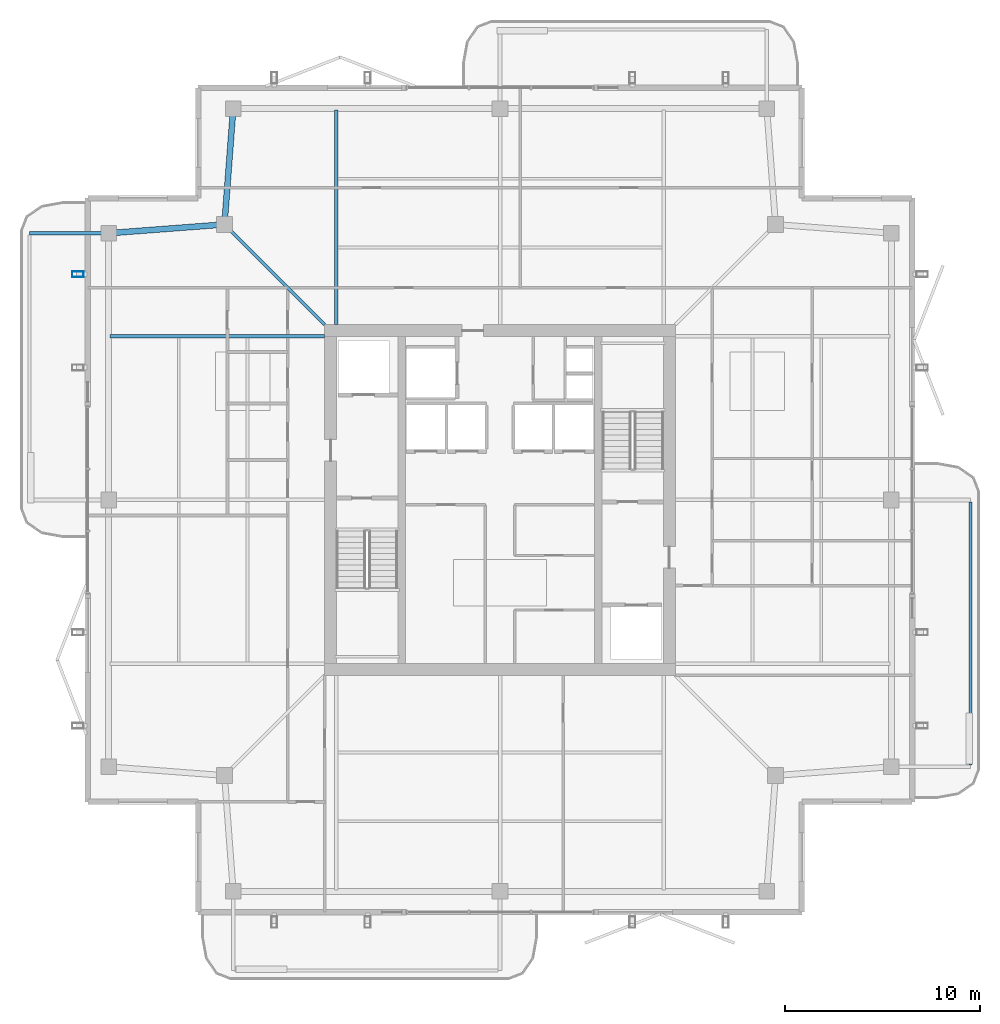
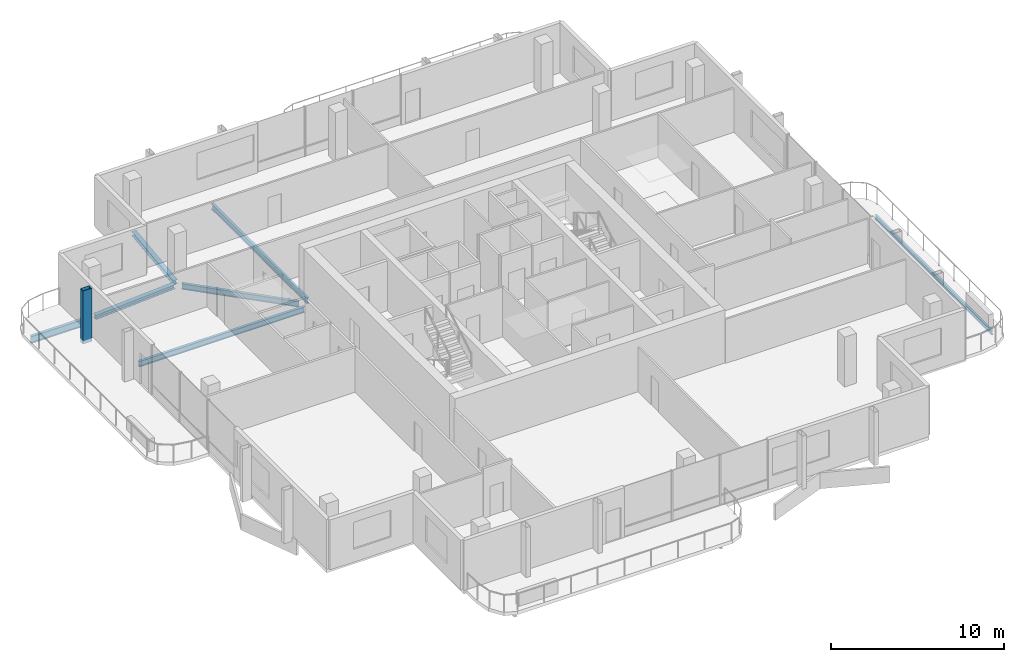
# One storey, part 11 of 22: 7 beams, 1 member.
"""IFC4 building model written with IfcOpenShell, lengths in metres."""

from ifc_helpers import new_model, si_unit, direction, frame, origin, origin_2d, place, context, subcontext, project, spatial, hollow_rectangle, i_section, extrude, material, material_profile, profile_set, type_object, element, save


model = new_model("IFC4")

# Units and contexts
model_context = context("Model", 3, precision=1e-05, world=origin(), true_north=direction((0.0, 1.0)))
body_context = subcontext(model_context, "Body", "Model", "MODEL_VIEW")
ifc_project = project(units=[si_unit("LENGTHUNIT", "METRE"), si_unit("AREAUNIT", "SQUARE_METRE"), si_unit("VOLUMEUNIT", "CUBIC_METRE"), si_unit("PLANEANGLEUNIT", "RADIAN"), si_unit("MASSUNIT", "GRAM", prefix="KILO")], contexts=[model_context])

# Site, building, storey
site_placement = place(None, origin())
site = spatial("IfcSite", under=ifc_project, at=site_placement, CompositionType="ELEMENT")
building_placement = place(site_placement, origin())
building = spatial("IfcBuilding", under=site, at=building_placement, Name="Belovzor Exchange Tower", CompositionType="ELEMENT")
storey_placement = place(building_placement, frame((0.0, 0.0, 348.0)))
storey = spatial("IfcBuildingStorey", under=building, at=storey_placement, Name="L87", CompositionType="ELEMENT", Elevation=348.0)

# Beams
ifc_material_1 = material(Name="Steel S355", Category="steel")
ifc_material_profile_1 = material_profile(ifc_material_1, i_section(OverallWidth=0.199951171875, OverallDepth=0.5, WebThickness=0.01025390625, FlangeThickness=0.01611328125, at=origin_2d()))
ifc_profile_set_1 = profile_set([ifc_material_profile_1], Name="Steel S355")
beam_type_1 = type_object("IfcBeamType", Name="Planted Balcony Cantilever Beam IPE 500", PredefinedType="BEAM", material=ifc_profile_set_1)
beam_1_placement = place(storey_placement, frame((8.47998046875, 42.5, -0.489990234375), z_axis=(-1.0, 0.0, 0.0), x_axis=(0.0, -1.0, 0.0)))
element("IfcBeam", 1, at=beam_1_placement, inside=storey, type_object=beam_type_1, Name="BC-500 Planted Balcony Cantilever Beam IPE 500", PredefinedType="BEAM", context=body_context, shape_type="SweptSolid", body=[
    extrude(i_section(OverallWidth=0.199951171875, OverallDepth=0.5, WebThickness=0.01025390625, FlangeThickness=0.01611328125, at=origin_2d()), origin(), (0.0, 0.0, 1.0), 3.85009765625),
])
ifc_material_2 = material(Name="Steel S355", Category="steel")
ifc_material_profile_2 = material_profile(ifc_material_2, i_section(OverallWidth=0.14990234375, OverallDepth=0.300048828125, WebThickness=0.007080078125, FlangeThickness=0.0107421875, at=origin_2d()))
ifc_profile_set_2 = profile_set([ifc_material_profile_2], Name="Steel S355")
beam_type_2 = type_object("IfcBeamType", Name="Planted Balcony Fascia Edge Beam IPE 300", PredefinedType="BEAM", material=ifc_profile_set_2)
beam_2_placement = place(storey_placement, frame((52.969970703125, 15.199951171875, -0.389892578125), z_axis=(0.0, 1.0, 0.0), x_axis=(-1.0, 0.0, 0.0)))
element("IfcBeam", 2, at=beam_2_placement, inside=storey, type_object=beam_type_2, Name="BC-300 Planted Balcony Fascia Edge Beam IPE 300", PredefinedType="BEAM", context=body_context, shape_type="SweptSolid", body=[
    extrude(i_section(OverallWidth=0.14990234375, OverallDepth=0.300048828125, WebThickness=0.007080078125, FlangeThickness=0.0107421875, at=origin_2d()), origin(), (0.0, 0.0, 1.0), 13.5),
])

# Member
ifc_material_3 = material(Name="Extruded Architectural Terracotta on Steel S355 Carrier", Category="masonry")
ifc_material_profile_3 = material_profile(ifc_material_3, hollow_rectangle(XDim=0.300048828125, YDim=0.60009765625, WallThickness=0.01611328125, at=origin_2d()))
ifc_profile_set_3 = profile_set([ifc_material_profile_3], Name="Extruded Architectural Terracotta on Steel S355 Carrier")
member_type = type_object("IfcMemberType", Name="Upper Crown Terracotta Fin Assembly 550", PredefinedType="USERDEFINED", material=ifc_profile_set_3)
member_placement = place(storey_placement, frame((7.125, 40.39990234375, -0.239990234375), z_axis=(0.0, 0.0, 1.0), x_axis=(0.0, 1.0, 0.0)))
element("IfcMember", 3, at=member_placement, inside=storey, type_object=member_type, Name="FIN-TC055 Terracotta Facade Fin L87 W4", ObjectType="FIN", PredefinedType="USERDEFINED", context=body_context, shape_type="SweptSolid", body=[
    extrude(hollow_rectangle(XDim=0.300048828125, YDim=0.60009765625, WallThickness=0.01611328125, at=origin_2d()), origin(), (0.0, 0.0, 1.0), 3.75),
])

# Beams
ifc_material_4 = material(Name="Steel S355", Category="steel")
ifc_material_profile_4 = material_profile(ifc_material_4, i_section(OverallWidth=0.179931640625, OverallDepth=0.39990234375, WebThickness=0.008544921875, FlangeThickness=0.013427734375, at=origin_2d()))
ifc_profile_set_4 = profile_set([ifc_material_profile_4], Name="Steel S355")
beam_type_3 = type_object("IfcBeamType", Name="Zone 5-6 Radial Composite Floor Beam IPE 400", PredefinedType="BEAM", material=ifc_profile_set_4)
beam_3_placement = place(storey_placement, frame((20.39990234375, 37.800048828125, -0.43994140625), z_axis=(0.0, 1.0, 0.0), x_axis=(-1.0, 0.0, 0.0)))
element("IfcBeam", 4, at=beam_3_placement, inside=storey, type_object=beam_type_3, Name="FB-400 Zone 5-6 Radial Composite Floor Beam IPE 400", PredefinedType="BEAM", context=body_context, shape_type="SweptSolid", body=[
    extrude(i_section(OverallWidth=0.179931640625, OverallDepth=0.39990234375, WebThickness=0.008544921875, FlangeThickness=0.013427734375, at=origin_2d()), origin(), (0.0, 0.0, 1.0), 11.02490234375),
])
beam_4_placement = place(storey_placement, frame((19.800048828125, 37.199951171875, -0.43994140625), z_axis=(-1.0, 0.0, 0.0), x_axis=(0.0, -1.0, 0.0)))
element("IfcBeam", 5, at=beam_4_placement, inside=storey, type_object=beam_type_3, Name="FB-400 Zone 5-6 Radial Composite Floor Beam IPE 400", PredefinedType="BEAM", context=body_context, shape_type="SweptSolid", body=[
    extrude(i_section(OverallWidth=0.179931640625, OverallDepth=0.39990234375, WebThickness=0.008544921875, FlangeThickness=0.013427734375, at=origin_2d()), origin(), (0.0, 0.0, 1.0), 11.025146484375),
])
beam_5_placement = place(storey_placement, frame((19.800048828125, 37.800048828125, -0.43994140625), z_axis=(-0.707106781187, 0.707106781187, 0.0), x_axis=(-0.707106781187, -0.707106781187, 0.0)))
element("IfcBeam", 6, at=beam_5_placement, inside=storey, type_object=beam_type_3, Name="FB-400 Zone 5-6 Radial Composite Floor Beam IPE 400", PredefinedType="BEAM", context=body_context, shape_type="SweptSolid", body=[
    extrude(i_section(OverallWidth=0.179931640625, OverallDepth=0.39990234375, WebThickness=0.008544921875, FlangeThickness=0.013427734375, at=origin_2d()), origin(), (0.0, 0.0, 1.0), 7.000244140625),
])
ifc_material_5 = material(Name="Steel S355", Category="steel")
ifc_material_profile_5 = material_profile(ifc_material_5, i_section(OverallWidth=0.300048828125, OverallDepth=0.300048828125, WebThickness=0.008544921875, FlangeThickness=0.013916015625, at=origin_2d()))
ifc_profile_set_5 = profile_set([ifc_material_profile_5], Name="Steel S355")
beam_type_4 = type_object("IfcBeamType", Name="Zone 6 Primary Girder HEA 300", PredefinedType="BEAM", material=ifc_profile_set_5)
for number, where, z_axis, x_axis, name in (
    (7, (15.0830078125, 48.680908203125, -0.389892578125), (-0.075260983968, -0.99716387033, 0.0), (0.99716387033, -0.075260983968, 0.0), "FG-Z6 Zone 6 Primary Girder HEA 300"),
    (8, (14.430908203125, 42.93310546875, -0.389892578125), (-0.99716387033, -0.075260983968, 0.0), (0.075260983968, -0.99716387033, 0.0), "FG-Z6 Zone 6 Primary Girder HEA 300"),
):
    element("IfcBeam", number, at=place(storey_placement, frame(where, z_axis=z_axis, x_axis=x_axis)), inside=storey, type_object=beam_type_4, Name=name, PredefinedType="BEAM", context=body_context, shape_type="SweptSolid", body=[
        extrude(i_section(OverallWidth=0.300048828125, OverallDepth=0.300048828125, WebThickness=0.008544921875, FlangeThickness=0.013916015625, at=origin_2d()), origin(), (0.0, 0.0, 1.0), 5.527587890625),
    ])

save(model, "model.ifc")
